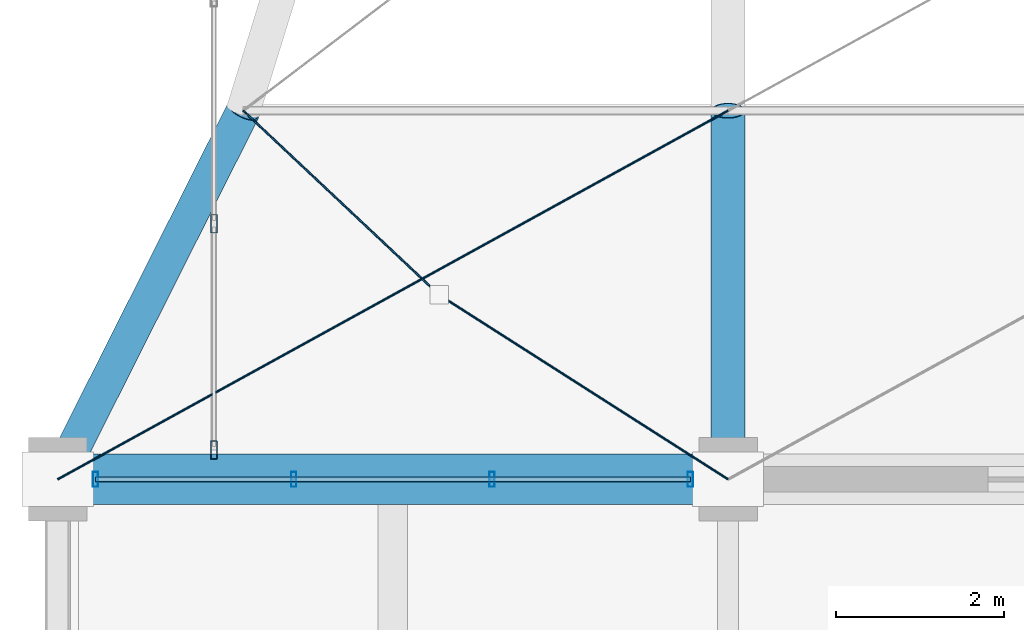
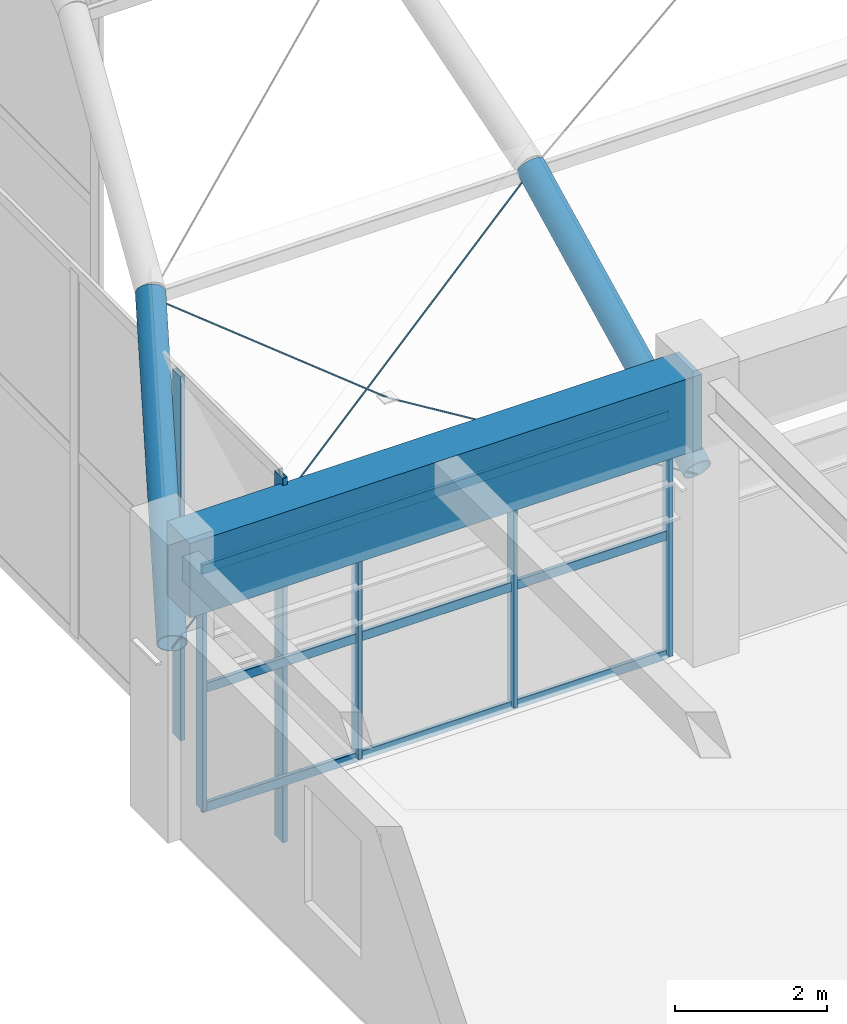
# One storey, part 8 of 144: 12 members, 3 beams, 2 elements without a shape of their own.
"""IFC4 building model written with IfcOpenShell, lengths in metres."""

from ifc_helpers import new_model, si_unit, direction, frame, origin, origin_2d, place, context, subcontext, project, spatial, rectangle, hollow_rectangle, circle, hollow_circle, extrude, material, material_profile, profile_set, type_object, element, aggregate, save


model = new_model("IFC4")

# Units and contexts
model_context = context("Model", 3, precision=1e-05, world=origin(), true_north=direction((0.0, 1.0)))
body_context = subcontext(model_context, "Body", "Model", "MODEL_VIEW")
ifc_project = project(units=[si_unit("LENGTHUNIT", "METRE"), si_unit("AREAUNIT", "SQUARE_METRE"), si_unit("VOLUMEUNIT", "CUBIC_METRE"), si_unit("PLANEANGLEUNIT", "RADIAN"), si_unit("MASSUNIT", "GRAM", prefix="KILO")], contexts=[model_context])

# Site, building, storey
site_placement = place(None, origin())
site = spatial("IfcSite", under=ifc_project, at=site_placement, CompositionType="ELEMENT")
building_placement = place(site_placement, origin())
building = spatial("IfcBuilding", under=site, at=building_placement, Name="Varnabhumi Central Station", CompositionType="ELEMENT")
storey_placement = place(building_placement, frame((0.0, 0.0, 4.800048828125)))
storey = spatial("IfcBuildingStorey", under=building, at=storey_placement, Name="L01", CompositionType="ELEMENT", Elevation=4.800048828125)

# Beams
ifc_material_1 = material(Name="Structural steel E350", Category="steel")
ifc_material_profile_1 = material_profile(ifc_material_1, hollow_circle(Radius=0.203125, WallThickness=0.01611328125, at=origin_2d()), Name="Structural steel E350", Category="steel")
ifc_profile_set_1 = profile_set([ifc_material_profile_1], Name="Structural steel E350")
beam_type_1 = type_object("IfcBeamType", Name="BM-ARCH-CHS406", PredefinedType="BEAM", material=ifc_profile_set_1)
beam_1_placement = place(storey_placement, frame((0.0, 36.0, 2.800048828125), z_axis=(0.409964463839, 0.814774985366, 0.409964463839), x_axis=(-0.893294210393, 0.449472417037, 0.0)))
element("IfcBeam", 1, at=beam_1_placement, inside=storey, type_object=beam_type_1, Name="Forecourt Arrival Canopy Vault Arch Rib 1 Seg 1", PredefinedType="BEAM", context=body_context, shape_type="SweptSolid", body=[
    extrude(hollow_circle(Radius=0.203125, WallThickness=0.01611328125, at=origin_2d()), origin(), (0.0, 0.0, 1.0), 5.400146484375),
])
beam_2_placement = place(storey_placement, frame((8.0, 36.0, 2.800048828125), z_axis=(0.0, 0.893294210393, 0.449472417037), x_axis=(-1.0, 0.0, 0.0)))
element("IfcBeam", 2, at=beam_2_placement, inside=storey, type_object=beam_type_1, Name="Forecourt Arrival Canopy Vault Arch Rib 2 Seg 1", PredefinedType="BEAM", context=body_context, shape_type="SweptSolid", body=[
    extrude(hollow_circle(Radius=0.203125, WallThickness=0.01611328125, at=origin_2d()), origin(), (0.0, 0.0, 1.0), 4.925537109375),
])
ifc_material_2 = material(Name="Concrete M50", Category="concrete")
ifc_material_profile_2 = material_profile(ifc_material_2, rectangle(XDim=0.60009765625, YDim=1.199951171875, at=origin_2d()), Name="Concrete M50", Category="concrete")
ifc_profile_set_2 = profile_set([ifc_material_profile_2], Name="Concrete M50")
beam_type_2 = type_object("IfcBeamType", Name="BM-RC-1200x600", PredefinedType="BEAM", material=ifc_profile_set_2)
beam_3_placement = place(storey_placement, frame((0.10009765625, 36.0, 3.949951171875), z_axis=(1.0, 0.0, 0.0), x_axis=(0.0, 1.0, 0.0)))
element("IfcBeam", 3, at=beam_3_placement, inside=storey, type_object=beam_type_2, Name="Beam L01-E:1-2", PredefinedType="BEAM", context=body_context, shape_type="SweptSolid", body=[
    extrude(rectangle(XDim=0.60009765625, YDim=1.199951171875, at=origin_2d()), origin(), (0.0, 0.0, 1.0), 7.7998046875),
])

# Curtain wall, members
ifc_material_3 = material(Name="Anodised aluminium 6063-T6", Category="aluminium")
curtain_wall_type_1 = type_object("IfcCurtainWallType", Name="CW-SPINE-SCREEN-L0", PredefinedType="NOTDEFINED", material=ifc_material_3)
curtain_wall_1_placement = place(storey_placement, origin())
curtain_wall_1 = element("IfcCurtainWall", 4, at=curtain_wall_1_placement, inside=storey, type_object=curtain_wall_type_1, Name="Curtain Wall CW-SS100", PredefinedType="NOTDEFINED")
ifc_material_profile_3 = material_profile(ifc_material_3, hollow_rectangle(XDim=0.06494140625, YDim=0.179931640625, WallThickness=0.00390625, InnerFilletRadius=0.001953125, OuterFilletRadius=0.006103515625, at=origin_2d()), Name="Anodised aluminium 6063-T6", Category="aluminium")
ifc_profile_set_3 = profile_set([ifc_material_profile_3], Name="Anodised aluminium 6063-T6")
member_type_1 = type_object("IfcMemberType", Name="CW-MUL-180", PredefinedType="MULLION", material=ifc_profile_set_3)
member_1_placement = place(storey_placement, frame((0.449951171875, 36.0, 0.0), z_axis=(0.0, 0.0, 1.0), x_axis=(1.0, 0.0, 0.0)))
member_1 = element("IfcMember", 5, at=member_1_placement, type_object=member_type_1, Name="Curtain Wall Mullion CW-SS100-M1", PredefinedType="MULLION", context=body_context, shape_type="SweptSolid", body=[
    extrude(hollow_rectangle(XDim=0.06494140625, YDim=0.179931640625, WallThickness=0.00390625, InnerFilletRadius=0.001953125, OuterFilletRadius=0.006103515625, at=origin_2d()), origin(), (0.0, 0.0, 1.0), 3.83984375),
])
member_2_placement = place(storey_placement, frame((2.816650390625, 36.0, 0.0), z_axis=(0.0, 0.0, 1.0), x_axis=(1.0, 0.0, 0.0)))
member_2 = element("IfcMember", 6, at=member_2_placement, type_object=member_type_1, Name="Curtain Wall Mullion CW-SS100-M2", PredefinedType="MULLION", context=body_context, shape_type="SweptSolid", body=[
    extrude(hollow_rectangle(XDim=0.06494140625, YDim=0.179931640625, WallThickness=0.00390625, InnerFilletRadius=0.001953125, OuterFilletRadius=0.006103515625, at=origin_2d()), origin(), (0.0, 0.0, 1.0), 3.83984375),
])
member_3_placement = place(storey_placement, frame((5.183349609375, 36.0, 0.0), z_axis=(0.0, 0.0, 1.0), x_axis=(1.0, 0.0, 0.0)))
member_3 = element("IfcMember", 7, at=member_3_placement, type_object=member_type_1, Name="Curtain Wall Mullion CW-SS100-M3", PredefinedType="MULLION", context=body_context, shape_type="SweptSolid", body=[
    extrude(hollow_rectangle(XDim=0.06494140625, YDim=0.179931640625, WallThickness=0.00390625, InnerFilletRadius=0.001953125, OuterFilletRadius=0.006103515625, at=origin_2d()), origin(), (0.0, 0.0, 1.0), 3.83984375),
])
member_4_placement = place(storey_placement, frame((7.550048828125, 36.0, 0.0), z_axis=(0.0, 0.0, 1.0), x_axis=(1.0, 0.0, 0.0)))
member_4 = element("IfcMember", 8, at=member_4_placement, type_object=member_type_1, Name="Curtain Wall Mullion CW-SS100-M4", PredefinedType="MULLION", context=body_context, shape_type="SweptSolid", body=[
    extrude(hollow_rectangle(XDim=0.06494140625, YDim=0.179931640625, WallThickness=0.00390625, InnerFilletRadius=0.001953125, OuterFilletRadius=0.006103515625, at=origin_2d()), origin(), (0.0, 0.0, 1.0), 3.83984375),
])

curtain_wall_type_2 = type_object("IfcCurtainWallType", Name="CW-VAULT-ARCH-V1", PredefinedType="NOTDEFINED", material=ifc_material_3)
curtain_wall_2_placement = place(storey_placement, origin())
curtain_wall_2 = element("IfcCurtainWall", 9, at=curtain_wall_2_placement, inside=storey, type_object=curtain_wall_type_2, Name="Curtain Wall CW-V11", PredefinedType="NOTDEFINED")
ifc_material_profile_4 = material_profile(ifc_material_3, hollow_rectangle(XDim=0.074951171875, YDim=0.219970703125, WallThickness=0.0048828125, InnerFilletRadius=0.0009765625, OuterFilletRadius=0.006103515625, at=origin_2d()), Name="Anodised aluminium 6063-T6", Category="aluminium")
ifc_profile_set_4 = profile_set([ifc_material_profile_4], Name="Anodised aluminium 6063-T6")
member_type_2 = type_object("IfcMemberType", Name="CW-MUL-220", PredefinedType="MULLION", material=ifc_profile_set_4)
member_5_placement = place(storey_placement, frame((1.864013671875, 36.35009765625, -1.199951171875), z_axis=(0.0, 0.0, 1.0), x_axis=(1.0, 0.0, 0.0)))
member_5 = element("IfcMember", 10, at=member_5_placement, type_object=member_type_2, Name="Curtain Wall Mullion CW-V11-M1", PredefinedType="MULLION", context=body_context, shape_type="SweptSolid", body=[
    extrude(hollow_rectangle(XDim=0.074951171875, YDim=0.219970703125, WallThickness=0.0048828125, InnerFilletRadius=0.0009765625, OuterFilletRadius=0.006103515625, at=origin_2d()), origin(), (0.0, 0.0, 1.0), 5.86376953125),
])
member_6_placement = place(storey_placement, frame((1.864013671875, 39.050048828125, -1.199951171875), z_axis=(0.0, 0.0, 1.0), x_axis=(1.0, 0.0, 0.0)))
member_6 = element("IfcMember", 11, at=member_6_placement, type_object=member_type_2, Name="Curtain Wall Mullion CW-V11-M2", PredefinedType="MULLION", context=body_context, shape_type="SweptSolid", body=[
    extrude(hollow_rectangle(XDim=0.074951171875, YDim=0.219970703125, WallThickness=0.0048828125, InnerFilletRadius=0.0009765625, OuterFilletRadius=0.006103515625, at=origin_2d()), origin(), (0.0, 0.0, 1.0), 5.86376953125),
])
aggregate(curtain_wall_2, [member_5, member_6])

# Member
ifc_material_profile_5 = material_profile(ifc_material_3, hollow_rectangle(XDim=0.06005859375, YDim=0.14990234375, WallThickness=0.00390625, InnerFilletRadius=0.001953125, OuterFilletRadius=0.006103515625, at=origin_2d()), Name="Anodised aluminium 6063-T6", Category="aluminium")
ifc_profile_set_5 = profile_set([ifc_material_profile_5], Name="Anodised aluminium 6063-T6")
member_type_3 = type_object("IfcMemberType", Name="CW-TR-150", PredefinedType="USERDEFINED", material=ifc_profile_set_5)
member_7_placement = place(storey_placement, frame((0.449951171875, 36.0, 0.0), z_axis=(1.0, 0.0, 0.0), x_axis=(0.0, 1.0, 0.0)))
member_7 = element("IfcMember", 12, at=member_7_placement, type_object=member_type_3, Name="Curtain Wall Transom CW-SS100-T1", ObjectType="TRANSOM", PredefinedType="USERDEFINED", context=body_context, shape_type="SweptSolid", body=[
    extrude(hollow_rectangle(XDim=0.06005859375, YDim=0.14990234375, WallThickness=0.00390625, InnerFilletRadius=0.001953125, OuterFilletRadius=0.006103515625, at=origin_2d()), origin(), (0.0, 0.0, 1.0), 7.10009765625),
])

member_8_placement = place(storey_placement, frame((0.449951171875, 36.0, 1.919921875), z_axis=(1.0, 0.0, 0.0), x_axis=(0.0, 1.0, 0.0)))
member_8 = element("IfcMember", 13, at=member_8_placement, type_object=member_type_3, Name="Curtain Wall Transom CW-SS100-T2", ObjectType="TRANSOM", PredefinedType="USERDEFINED", context=body_context, shape_type="SweptSolid", body=[
    extrude(hollow_rectangle(XDim=0.06005859375, YDim=0.14990234375, WallThickness=0.00390625, InnerFilletRadius=0.001953125, OuterFilletRadius=0.006103515625, at=origin_2d()), origin(), (0.0, 0.0, 1.0), 7.10009765625),
])

member_9_placement = place(storey_placement, frame((0.449951171875, 36.0, 3.83984375), z_axis=(1.0, 0.0, 0.0), x_axis=(0.0, 1.0, 0.0)))
member_9 = element("IfcMember", 14, at=member_9_placement, type_object=member_type_3, Name="Curtain Wall Transom CW-SS100-T3", ObjectType="TRANSOM", PredefinedType="USERDEFINED", context=body_context, shape_type="SweptSolid", body=[
    extrude(hollow_rectangle(XDim=0.06005859375, YDim=0.14990234375, WallThickness=0.00390625, InnerFilletRadius=0.001953125, OuterFilletRadius=0.006103515625, at=origin_2d()), origin(), (0.0, 0.0, 1.0), 7.10009765625),
])

aggregate(curtain_wall_1, [member_1, member_2, member_3, member_4, member_7, member_8, member_9])

# Members
ifc_material_4 = material(Name="Spiral-strand steel S1570", Category="steel")
ifc_material_profile_6 = material_profile(ifc_material_4, circle(Radius=0.013916015625, at=origin_2d()), Name="Spiral-strand steel S1570", Category="steel")
ifc_profile_set_6 = profile_set([ifc_material_profile_6], Name="Spiral-strand steel S1570")
member_type_4 = type_object("IfcMemberType", Name="MBR-CABLE-D28", PredefinedType="USERDEFINED", material=ifc_profile_set_6)
member_10_placement = place(storey_placement, frame((0.0, 36.0, 2.719970703125), z_axis=(0.851544146337, 0.468338885659, 0.235650705535), x_axis=(-0.481910537812, 0.876220425204, 0.0)))
element("IfcMember", 15, at=member_10_placement, inside=storey, type_object=member_type_4, Name="Forecourt Arrival Canopy Vault Cable-Net Tie B1-P1A", ObjectType="TENSION CABLE", PredefinedType="USERDEFINED", context=body_context, shape_type="SweptSolid", body=[
    extrude(circle(Radius=0.013916015625, at=origin_2d()), origin(), (0.0, 0.0, 1.0), 9.394775390625),
])
member_11_placement = place(storey_placement, frame((2.2138671875, 40.39990234375, 4.933837890625), z_axis=(0.688748972117, -0.647638212225, -0.325867456911), x_axis=(0.685030271388, 0.728514603342, 0.0)))
element("IfcMember", 16, at=member_11_placement, inside=storey, type_object=member_type_4, Name="Forecourt Arrival Canopy Vault Cable-Net Split Tie B1-P1B1", ObjectType="TENSION CABLE", PredefinedType="USERDEFINED", context=body_context, shape_type="SweptSolid", body=[
    extrude(circle(Radius=0.013916015625, at=origin_2d()), origin(), (0.0, 0.0, 1.0), 3.39697265625),
])
member_12_placement = place(storey_placement, frame((4.553466796875, 38.199951171875, 3.826904296875), z_axis=(0.813629581408, -0.519346614583, -0.261315897294), x_axis=(0.538041771468, 0.84291817643, 0.0)))
element("IfcMember", 17, at=member_12_placement, inside=storey, type_object=member_type_4, Name="Forecourt Arrival Canopy Vault Cable-Net Split Tie B1-P1B2", ObjectType="TENSION CABLE", PredefinedType="USERDEFINED", context=body_context, shape_type="SweptSolid", body=[
    extrude(circle(Radius=0.013916015625, at=origin_2d()), origin(), (0.0, 0.0, 1.0), 4.236083984375),
])

save(model, "model.ifc")
